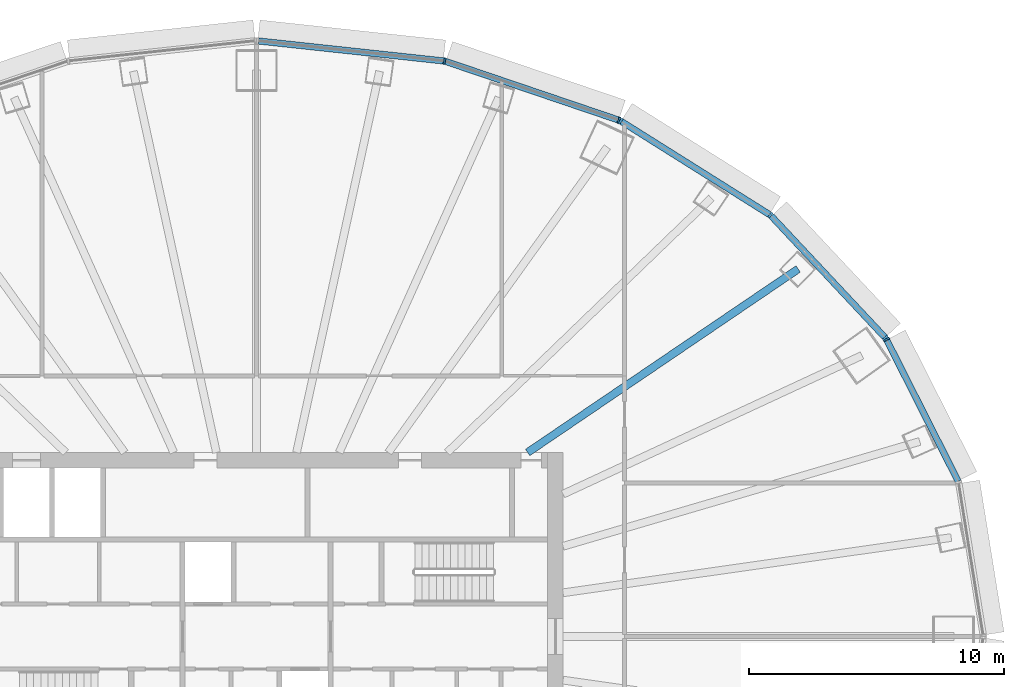
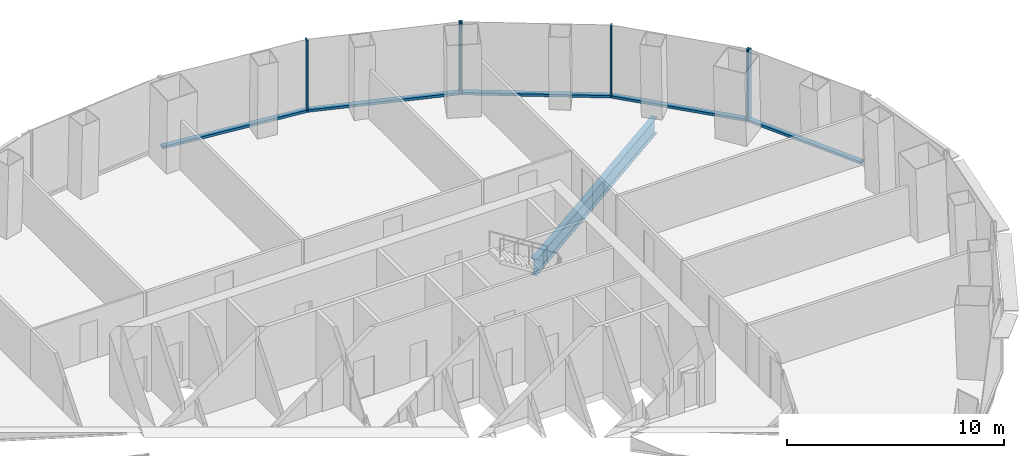
# One storey, part 5 of 13: 11 members, 1 beam, 3 elements without a shape of their own.
"""IFC4 building model written with IfcOpenShell, lengths in metres."""

import ifcopenshell
import ifcopenshell.guid

model = None  # the IFC model being written
_history = None  # IfcOwnerHistory: only IFC2X3 demands one
_inside = {}  # id of a spatial element -> (the spatial element, [elements in it])
_under = {}  # id of a project, library or spatial element -> (it, [spatial elements below it])
_declared = {}  # id of a project -> (the project, [libraries it declares])
_typed = {}  # id of a type object -> (the type object, [elements of that type])
_made_of = {}  # id of a material, layer set ... -> (it, [elements and type objects made of it])


def new_model(schema):
    """Start an empty IFC model of exactly this schema.

    Asked for "IFC4X3", IfcOpenShell would pick the latest addendum, in which some entities
    have other attributes; the version numbers below select the first issue.
    IFC2X3 requires an IfcOwnerHistory on every rooted entity: one is made here for all.
    """
    global model, _history
    if schema == "IFC4X3":
        model = ifcopenshell.file(schema_version=(4, 3, 0, 0))
    else:
        model = ifcopenshell.file(schema=schema)
    _inside.clear()
    _under.clear()
    _declared.clear()
    _typed.clear()
    _made_of.clear()
    _history = None
    if model.schema == "IFC2X3":
        org = make("IfcOrganization", Name="unknown")
        user = make(
            "IfcPersonAndOrganization",
            ThePerson=make("IfcPerson", FamilyName="unknown"),
            TheOrganization=org,
        )
        app = make(
            "IfcApplication",
            ApplicationDeveloper=org,
            Version="unknown",
            ApplicationFullName="unknown",
            ApplicationIdentifier="unknown",
        )
        _history = make(
            "IfcOwnerHistory",
            OwningUser=user,
            OwningApplication=app,
            ChangeAction="ADDED",
            CreationDate=0,
        )
    return model


def make(cls, **values):
    """One entity of the class cls with the attributes given. An attribute that is None is left unset."""
    return model.create_entity(
        cls, **{name: value for name, value in values.items() if value is not None}
    )


def rooted(cls, **values):
    """An entity with a GlobalId (a new one), such as an element, a storey or a relation."""
    return make(cls, GlobalId=ifcopenshell.guid.new(), OwnerHistory=_history, **values)


def si_unit(unit_type, name, prefix=None):
    """IfcSIUnit, for example si_unit("LENGTHUNIT", "METRE", prefix="MILLI")."""
    return make("IfcSIUnit", UnitType=unit_type, Prefix=prefix, Name=name)


def assignment(units):
    """IfcUnitAssignment: the units of a project."""
    return None if units is None else make("IfcUnitAssignment", Units=units)


def point(xyz):
    """IfcCartesianPoint."""
    return None if xyz is None else make("IfcCartesianPoint", Coordinates=xyz)


def direction(xyz):
    """IfcDirection."""
    return None if xyz is None else make("IfcDirection", DirectionRatios=xyz)


def frame(location, z_axis=None, x_axis=None):
    """IfcAxis2Placement3D, a coordinate frame: its origin and axes. An axis left out is left unset."""
    return make(
        "IfcAxis2Placement3D",
        Location=point(location),
        Axis=direction(z_axis),
        RefDirection=direction(x_axis),
    )


def frame_2d(location, x_axis=None):
    """IfcAxis2Placement2D, a coordinate frame in the plane: its origin and x axis."""
    return make(
        "IfcAxis2Placement2D", Location=point(location), RefDirection=direction(x_axis)
    )


def origin():
    """The frame at (0, 0, 0) with its axes left unset."""
    return frame((0.0, 0.0, 0.0))


def origin_2d():
    """The frame at (0, 0) in the plane with its x axis left unset."""
    return frame_2d((0.0, 0.0))


def place(relative_to, where):
    """IfcLocalPlacement: puts the frame where relative to a parent placement (None: the world)."""
    return make(
        "IfcLocalPlacement", PlacementRelTo=relative_to, RelativePlacement=where
    )


def context(
    kind, dimensions, precision=None, world=None, true_north=None, identifier=None
):
    """IfcGeometricRepresentationContext, for example the 3D "Model" context."""
    return make(
        "IfcGeometricRepresentationContext",
        ContextIdentifier=identifier,
        ContextType=kind,
        CoordinateSpaceDimension=dimensions,
        Precision=precision,
        WorldCoordinateSystem=world,
        TrueNorth=true_north,
    )


def subcontext(parent, identifier, kind, view, scale=None):
    """IfcGeometricRepresentationSubContext, for example "Body" below "Model"."""
    return make(
        "IfcGeometricRepresentationSubContext",
        ContextIdentifier=identifier,
        ContextType=kind,
        ParentContext=parent,
        TargetScale=scale,
        TargetView=view,
    )


def project(units=None, contexts=None):
    """IfcProject with its units and contexts."""
    return rooted(
        "IfcProject",
        Name="project",
        RepresentationContexts=contexts,
        UnitsInContext=assignment(units),
    )


def spatial(cls, under=None, at=None, **own):
    """A site, building, storey or space (cls), placed at a placement, below another one or the project."""
    s = rooted(cls, ObjectPlacement=at, **own)
    if under is not None:
        _under.setdefault(under.id(), (under, []))[1].append(s)
    return s


def profile(cls, at=None, kind="AREA", **sizes):
    """A parametric profile (cls). Its sizes go by their IFC names, for example OverallWidth=200.0."""
    return make(cls, ProfileType=kind, Position=at, **sizes)


def rectangle(**sizes):
    """IfcRectangleProfileDef."""
    return profile("IfcRectangleProfileDef", **sizes)


def i_section(**sizes):
    """IfcIShapeProfileDef."""
    return profile("IfcIShapeProfileDef", **sizes)


def extrude(swept, where, along, depth):
    """IfcExtrudedAreaSolid: the profile swept, set in the frame where, extruded along a direction by depth."""
    return make(
        "IfcExtrudedAreaSolid",
        SweptArea=swept,
        Position=where,
        ExtrudedDirection=direction(along),
        Depth=depth,
    )


def shape(context_of_items, identifier, shape_type, items):
    """IfcShapeRepresentation: the items that make up one representation, for example the "Body"."""
    return make(
        "IfcShapeRepresentation",
        ContextOfItems=context_of_items,
        RepresentationIdentifier=identifier,
        RepresentationType=shape_type,
        Items=items,
    )


def material(Name=None, Category=None):
    """IfcMaterial."""
    return make("IfcMaterial", Name=Name, Category=Category)


def layer(
    of_material, thickness, ventilated=None, Name=None, Category=None, Priority=None
):
    """IfcMaterialLayer: one layer of a wall or slab, of a material (None: an air gap)."""
    return make(
        "IfcMaterialLayer",
        Material=of_material,
        LayerThickness=thickness,
        IsVentilated=ventilated,
        Name=Name,
        Category=Category,
        Priority=Priority,
    )


def layer_set(layers, Name=None):
    """IfcMaterialLayerSet."""
    return make("IfcMaterialLayerSet", MaterialLayers=layers, LayerSetName=Name)


def material_profile(
    of_material, cross_section, Name=None, Category=None, Priority=None
):
    """IfcMaterialProfile: a cross section and its material."""
    return make(
        "IfcMaterialProfile",
        Name=Name,
        Material=of_material,
        Profile=cross_section,
        Priority=Priority,
        Category=Category,
    )


def profile_set(profiles, Name=None, composite=None):
    """IfcMaterialProfileSet."""
    return make(
        "IfcMaterialProfileSet",
        Name=Name,
        MaterialProfiles=profiles,
        CompositeProfile=composite,
    )


def made_of(thing, what):
    """Note that an element or type object is made of a material, layer set ...; save() writes the relation."""
    if what is not None:
        _made_of.setdefault(what.id(), (what, []))[1].append(thing)
    return thing


def type_object(cls, material=None, **own):
    """A type object (cls), such as IfcWallType, which elements share."""
    return made_of(rooted(cls, **own), material)


def element(
    cls,
    number,
    at=None,
    inside=None,
    cuts=None,
    type_object=None,
    material=None,
    context=None,
    identifier="Body",
    shape_type=None,
    held_by="IfcProductDefinitionShape",
    body=None,
    shapes=None,
    **own,
):
    """One element of the class cls, such as IfcWall. Its Tag is "e" and its number.

    at: its placement. inside: the storey or other place that contains it. cuts: it is an
    opening in that element (IfcRelVoidsElement). A single representation is given by context,
    identifier, shape_type and body (its items); several are given by shapes. held_by: the class
    of the entity that holds the representations. save() writes the other relations.
    """
    e = rooted(cls, Tag="e%d" % number, ObjectPlacement=at, **own)
    if body is not None:
        shapes = [shape(context, identifier, shape_type, body)]
    if shapes is not None:
        e.Representation = make(held_by, Representations=shapes)
    if inside is not None:
        _inside.setdefault(inside.id(), (inside, []))[1].append(e)
    if cuts is not None:
        rooted(
            "IfcRelVoidsElement", RelatingBuildingElement=cuts, RelatedOpeningElement=e
        )
    if type_object is not None:
        _typed.setdefault(type_object.id(), (type_object, []))[1].append(e)
    return made_of(e, material)


def aggregate(whole, parts):
    """IfcRelAggregates: a whole, such as a stair, and the parts it consists of."""
    return rooted("IfcRelAggregates", RelatingObject=whole, RelatedObjects=parts)


def save(model, path):
    """Write the relations noted so far, then the file.

    IfcRelAggregates (storeys below a building ...), IfcRelContainedInSpatialStructure (elements
    in a storey), IfcRelDefinesByType, IfcRelAssociatesMaterial and IfcRelDeclares: one each for
    every whole, place, type object, material and project.
    """
    for whole, parts in _under.values():
        aggregate(whole, parts)
    for where, things in _inside.values():
        rooted(
            "IfcRelContainedInSpatialStructure",
            RelatedElements=things,
            RelatingStructure=where,
        )
    for kind, things in _typed.values():
        rooted("IfcRelDefinesByType", RelatedObjects=things, RelatingType=kind)
    for what, things in _made_of.values():
        rooted("IfcRelAssociatesMaterial", RelatedObjects=things, RelatingMaterial=what)
    for by, libraries in _declared.values():
        rooted("IfcRelDeclares", RelatingContext=by, RelatedDefinitions=libraries)
    model.write(path)


model = new_model("IFC4")

# Units and contexts
model_context = context("Model", 3, precision=1e-05, world=origin(), true_north=direction((0.0, 1.0)))
body_context = subcontext(model_context, "Body", "Model", "MODEL_VIEW")
ifc_project = project(units=[si_unit("LENGTHUNIT", "METRE"), si_unit("AREAUNIT", "SQUARE_METRE"), si_unit("VOLUMEUNIT", "CUBIC_METRE"), si_unit("PLANEANGLEUNIT", "RADIAN"), si_unit("MASSUNIT", "GRAM", prefix="KILO")], contexts=[model_context])

# Site, building, storey
site_placement = place(None, origin())
site = spatial("IfcSite", under=ifc_project, at=site_placement, CompositionType="ELEMENT")
building_placement = place(site_placement, origin())
building = spatial("IfcBuilding", under=site, at=building_placement, Name="Siaravel Broadcast Tower", CompositionType="ELEMENT")
storey_placement = place(building_placement, frame((0.0, 0.0, 32.89990234375)))
storey = spatial("IfcBuildingStorey", under=building, at=storey_placement, Name="L06", CompositionType="ELEMENT", Elevation=32.89990234375)

# Beam
ifc_material_1 = material(Name="Steel S355", Category="steel")
ifc_material_profile_1 = material_profile(ifc_material_1, i_section(OverallWidth=0.30322265625, OverallDepth=0.903076171875, WebThickness=0.01513671875, FlangeThickness=0.020263671875, FilletRadius=0.01904296875, at=origin_2d()))
ifc_profile_set_1 = profile_set([ifc_material_profile_1], Name="Steel S355")
beam_type = type_object("IfcBeamType", Name="BM-UB 914x305x201", PredefinedType="BEAM", material=ifc_profile_set_1)
beam_placement = place(storey_placement, frame((21.19970703125, 14.382568359375, -0.6513671875), z_axis=(-0.827525171, -0.561428617, 0.0), x_axis=(0.561428617, -0.827525171, 0.0)))
element("IfcBeam", 1, at=beam_placement, inside=storey, type_object=beam_type, Name="Radial beam RB05", PredefinedType="BEAM", context=body_context, shape_type="SweptSolid", body=[
    extrude(i_section(OverallWidth=0.30322265625, OverallDepth=0.903076171875, WebThickness=0.01513671875, FlangeThickness=0.020263671875, FilletRadius=0.01904296875, at=origin_2d()), origin(), (0.0, 0.0, 1.0), 12.79345703125),
])

# Curtain wall, member
ifc_material_2 = material(Name="Aluminium 6063-T6", Category="aluminium")
ifc_layer = layer(ifc_material_2, 0.25)
ifc_layer_set = layer_set([ifc_layer], Name="Aluminium 6063-T6")
curtain_wall_type = type_object("IfcCurtainWallType", Name="Podium newsroom glazing", PredefinedType="NOTDEFINED", material=ifc_layer_set)
curtain_wall_1_placement = place(storey_placement, origin())
curtain_wall_1 = element("IfcCurtainWall", 2, at=curtain_wall_1_placement, inside=storey, type_object=curtain_wall_type, Name="L06 Podium newsroom glazing 01", PredefinedType="NOTDEFINED")
ifc_material_profile_2 = material_profile(ifc_material_2, rectangle(XDim=0.25, YDim=0.080078125, at=origin_2d()))
ifc_profile_set_2 = profile_set([ifc_material_profile_2], Name="Aluminium 6063-T6")
member_type_1 = type_object("IfcMemberType", Name="CW-PD mullion", PredefinedType="MULLION", material=ifc_profile_set_2)
member_1_placement = place(storey_placement, frame((24.6572265625, 11.6259765625, 0.0), z_axis=(0.0, 0.0, 1.0), x_axis=(-0.89239138, -0.451262258, 0.0)))
member_1 = element("IfcMember", 3, at=member_1_placement, type_object=member_type_1, Name="CW-PD mullion 3", PredefinedType="MULLION", context=body_context, shape_type="SweptSolid", body=[
    extrude(rectangle(XDim=0.25, YDim=0.080078125, at=origin_2d()), origin(), (0.0, 0.0, 1.0), 4.050048828125),
])

# Curtain wall, members
curtain_wall_2_placement = place(storey_placement, origin())
curtain_wall_2 = element("IfcCurtainWall", 4, at=curtain_wall_2_placement, inside=storey, type_object=curtain_wall_type, Name="L06 Podium newsroom glazing 02", PredefinedType="NOTDEFINED")
member_2_placement = place(storey_placement, frame((24.61181640625, 11.69091796875, 0.0), z_axis=(0.0, 0.0, 1.0), x_axis=(-0.729804146, -0.68365628, 0.0)))
member_2 = element("IfcMember", 5, at=member_2_placement, type_object=member_type_1, Name="CW-PD mullion 1", PredefinedType="MULLION", context=body_context, shape_type="SweptSolid", body=[
    extrude(rectangle(XDim=0.25, YDim=0.080078125, at=origin_2d()), origin(), (0.0, 0.0, 1.0), 4.050048828125),
])
member_3_placement = place(storey_placement, frame((20.1162109375, 16.489990234375, 0.0), z_axis=(0.0, 0.0, 1.0), x_axis=(-0.636217558, -0.771509701, 0.0)))
member_3 = element("IfcMember", 6, at=member_3_placement, type_object=member_type_1, Name="CW-PD mullion 2", PredefinedType="MULLION", context=body_context, shape_type="SweptSolid", body=[
    extrude(rectangle(XDim=0.25, YDim=0.080078125, at=origin_2d()), origin(), (0.0, 0.0, 1.0), 4.050048828125),
])
member_4_placement = place(storey_placement, frame((14.257080078125, 20.172607421875, 0.0), z_axis=(0.0, 0.0, 1.0), x_axis=(-0.532148221, -0.84665121, 0.0)))
member_4 = element("IfcMember", 7, at=member_4_placement, type_object=member_type_1, Name="CW-PD mullion 3", PredefinedType="MULLION", context=body_context, shape_type="SweptSolid", body=[
    extrude(rectangle(XDim=0.25, YDim=0.080078125, at=origin_2d()), origin(), (0.0, 0.0, 1.0), 4.050048828125),
])

curtain_wall_3_placement = place(storey_placement, origin())
curtain_wall_3 = element("IfcCurtainWall", 8, at=curtain_wall_3_placement, inside=storey, type_object=curtain_wall_type, Name="L06 Podium newsroom glazing 03", PredefinedType="NOTDEFINED")
member_5_placement = place(storey_placement, frame((14.185302734375, 20.206787109375, 0.0), z_axis=(0.0, 0.0, 1.0), x_axis=(-0.321299974, -0.946977469, 0.0)))
member_5 = element("IfcMember", 9, at=member_5_placement, type_object=member_type_1, Name="CW-PD mullion 1", PredefinedType="MULLION", context=body_context, shape_type="SweptSolid", body=[
    extrude(rectangle(XDim=0.25, YDim=0.080078125, at=origin_2d()), origin(), (0.0, 0.0, 1.0), 4.050048828125),
])
member_6_placement = place(storey_placement, frame((7.362060546875, 22.521728515625, 0.0), z_axis=(0.0, 0.0, 1.0), x_axis=(-0.215557626, -0.976491121, 0.0)))
member_6 = element("IfcMember", 10, at=member_6_placement, type_object=member_type_1, Name="CW-PD mullion 2", PredefinedType="MULLION", context=body_context, shape_type="SweptSolid", body=[
    extrude(rectangle(XDim=0.25, YDim=0.080078125, at=origin_2d()), origin(), (0.0, 0.0, 1.0), 4.050048828125),
])

# Member
ifc_material_profile_3 = material_profile(ifc_material_2, rectangle(XDim=0.25, YDim=0.139892578125, at=origin_2d()))
ifc_profile_set_3 = profile_set([ifc_material_profile_3], Name="Aluminium 6063-T6")
member_type_2 = type_object("IfcMemberType", Name="CW-PD transom", PredefinedType="USERDEFINED", material=ifc_profile_set_3)
member_7_placement = place(storey_placement, frame((27.465087890625, 6.07275390625, 0.070068359375), z_axis=(-0.451221003, 0.89241224, 0.0), x_axis=(-0.89241224, -0.451221003, 0.0)))
member_7 = element("IfcMember", 11, at=member_7_placement, type_object=member_type_2, Name="CW-PD transom 2", ObjectType="TRANSOM", PredefinedType="USERDEFINED", context=body_context, shape_type="SweptSolid", body=[
    extrude(rectangle(XDim=0.25, YDim=0.139892578125, at=origin_2d()), origin(), (0.0, 0.0, 1.0), 6.182861328125),
])

aggregate(curtain_wall_1, [member_1, member_7])

member_8_placement = place(storey_placement, frame((24.58447265625, 11.719970703125, 0.070068359375), z_axis=(-0.683673548, 0.729787969, 0.0), x_axis=(-0.729787969, -0.683673548, 0.0)))
member_8 = element("IfcMember", 12, at=member_8_placement, type_object=member_type_2, Name="CW-PD transom 1", ObjectType="TRANSOM", PredefinedType="USERDEFINED", context=body_context, shape_type="SweptSolid", body=[
    extrude(rectangle(XDim=0.25, YDim=0.139892578125, at=origin_2d()), origin(), (0.0, 0.0, 1.0), 6.49609375),
])

member_9_placement = place(storey_placement, frame((20.082275390625, 16.51123046875, 0.070068359375), z_axis=(-0.846642063, 0.532162774, 0.0), x_axis=(-0.532162774, -0.846642063, 0.0)))
member_9 = element("IfcMember", 13, at=member_9_placement, type_object=member_type_2, Name="CW-PD transom 2", ObjectType="TRANSOM", PredefinedType="USERDEFINED", context=body_context, shape_type="SweptSolid", body=[
    extrude(rectangle(XDim=0.25, YDim=0.139892578125, at=origin_2d()), origin(), (0.0, 0.0, 1.0), 6.84033203125),
])

aggregate(curtain_wall_2, [member_2, member_3, member_4, member_8, member_9])

member_10_placement = place(storey_placement, frame((14.1474609375, 20.219482421875, 0.070068359375), z_axis=(-0.946980562, 0.321290858, 0.0), x_axis=(-0.321290858, -0.946980562, 0.0)))
member_10 = element("IfcMember", 14, at=member_10_placement, type_object=member_type_2, Name="CW-PD transom 1", ObjectType="TRANSOM", PredefinedType="USERDEFINED", context=body_context, shape_type="SweptSolid", body=[
    extrude(rectangle(XDim=0.25, YDim=0.139892578125, at=origin_2d()), origin(), (0.0, 0.0, 1.0), 7.125244140625),
])

member_11_placement = place(storey_placement, frame((7.322265625, 22.526123046875, 0.070068359375), z_axis=(-0.994236146, 0.107212345, 0.0), x_axis=(-0.107212345, -0.994236146, 0.0)))
member_11 = element("IfcMember", 15, at=member_11_placement, type_object=member_type_2, Name="CW-PD transom 2", ObjectType="TRANSOM", PredefinedType="USERDEFINED", context=body_context, shape_type="SweptSolid", body=[
    extrude(rectangle(XDim=0.25, YDim=0.139892578125, at=origin_2d()), origin(), (0.0, 0.0, 1.0), 7.28466796875),
])

aggregate(curtain_wall_3, [member_5, member_6, member_10, member_11])

save(model, "model.ifc")
